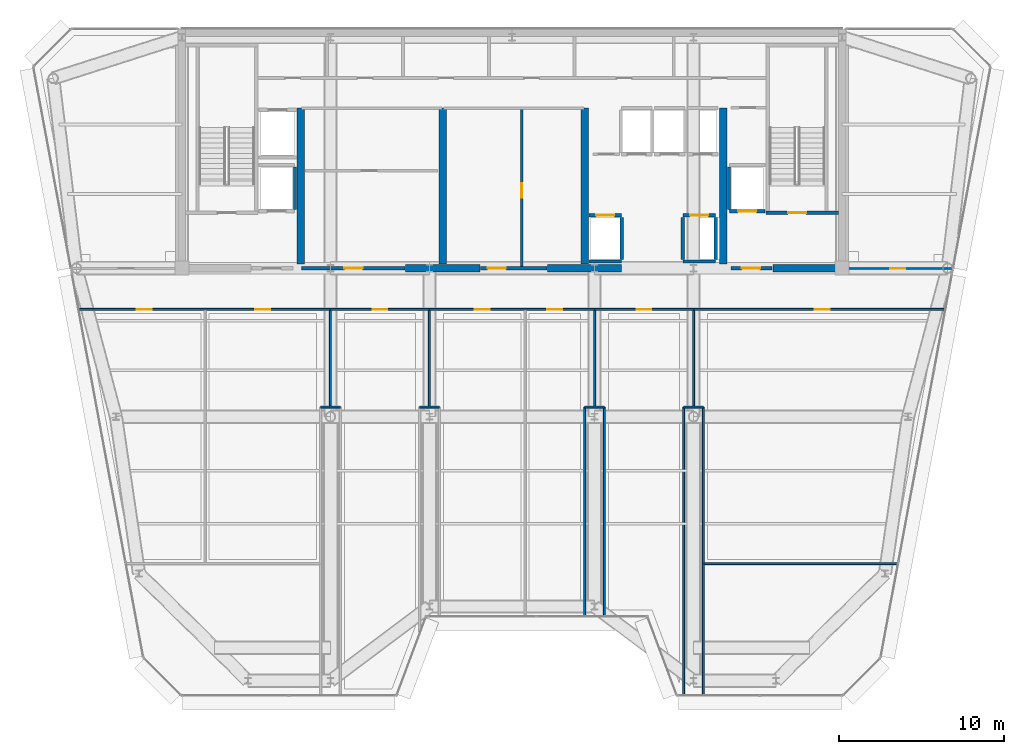
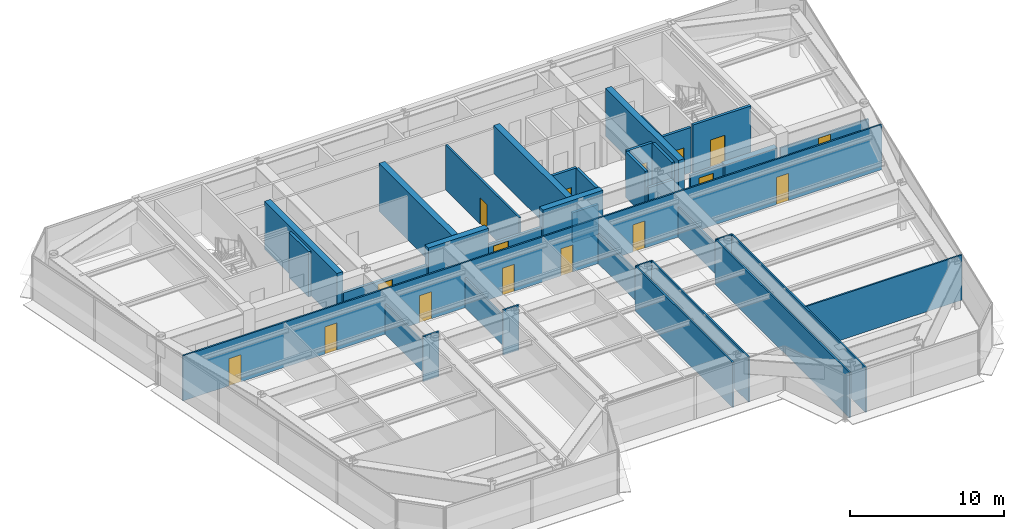
# One storey, part 10 of 18: 37 walls, 16 doors, 16 openings.
"""IFC4 building model written with IfcOpenShell, lengths in metres."""

from ifc_helpers import new_model, si_unit, direction, frame, frame_2d, origin, place, context, subcontext, project, spatial, rectangle, extrude, source, transform, mapped, material, layer, layer_set, type_object, element, fill, save


model = new_model("IFC4")

# Units and contexts
model_context = context("Model", 3, precision=1e-05, world=origin(), true_north=direction((0.0, 1.0)))
body_context = subcontext(model_context, "Body", "Model", "MODEL_VIEW")
ifc_project = project(units=[si_unit("LENGTHUNIT", "METRE"), si_unit("AREAUNIT", "SQUARE_METRE"), si_unit("VOLUMEUNIT", "CUBIC_METRE"), si_unit("PLANEANGLEUNIT", "RADIAN"), si_unit("MASSUNIT", "GRAM", prefix="KILO")], contexts=[model_context])

# Site, building, storey
site_placement = place(None, origin())
site = spatial("IfcSite", under=ifc_project, at=site_placement, CompositionType="ELEMENT")
building_placement = place(site_placement, origin())
building = spatial("IfcBuilding", under=site, at=building_placement, Name="Vaeldorn Concourse Tower", CompositionType="ELEMENT")
storey_placement = place(building_placement, frame((0.0, 0.0, 265.0)))
storey = spatial("IfcBuildingStorey", under=building, at=storey_placement, Name="L68", CompositionType="ELEMENT", Elevation=265.0)

# Walls
ifc_material_1 = material(Name="Concrete C50/60", Category="concrete")
ifc_layer_1 = layer(ifc_material_1, 0.449951171875)
ifc_layer_set_1 = layer_set([ifc_layer_1], Name="Concrete C50/60")
wall_type_1 = type_object("IfcWallType", Name="WL-CORE-450", PredefinedType="SHEAR", material=ifc_layer_set_1)
for number, where, z_axis, x_axis, name in (
    (1, (27.550048828125, 36.5, 0.0), (0.0, 0.0, 1.0), (1.0, 0.0, 0.0), "Rear Core Shear Wall L68 S2"),
    (2, (36.14990234375, 36.5, 0.0), (0.0, 0.0, 1.0), (1.0, 0.0, 0.0), "Rear Core Shear Wall L68 S3"),
):
    element("IfcWall", number, at=place(storey_placement, frame(where, z_axis=z_axis, x_axis=x_axis)), inside=storey, type_object=wall_type_1, Name=name, PredefinedType="SHEAR", context=body_context, shape_type="SweptSolid", body=[
        extrude(rectangle(XDim=4.5, YDim=0.449951171875, at=frame_2d((2.25, 0.0))), origin(), (0.0, 0.0, 1.0), 3.800048828125),
    ])
wall_1_placement = place(storey_placement, frame((49.800048828125, 36.5, 0.0), z_axis=(0.0, 0.0, 1.0), x_axis=(1.0, 0.0, 0.0)))
element("IfcWall", 3, at=wall_1_placement, inside=storey, type_object=wall_type_1, Name="Rear Core Shear Wall L68 S4", PredefinedType="SHEAR", context=body_context, shape_type="SweptSolid", body=[
    extrude(rectangle(XDim=3.954833984375, YDim=0.449951171875, at=frame_2d((1.9775390625, 0.0))), origin(), (0.0, 0.0, 1.0), 2.580078125),
])
for number, where, z_axis, x_axis, name in (
    (4, (21.199951171875, 36.7451171875, 0.0), (0.0, 0.0, 1.0), (0.0, 1.0, 0.0), "Rear Core Shear Wall L68 M1"),
    (5, (29.800048828125, 36.7451171875, 0.0), (0.0, 0.0, 1.0), (0.0, 1.0, 0.0), "Rear Core Shear Wall L68 M2"),
    (6, (38.39990234375, 36.7451171875, 0.0), (0.0, 0.0, 1.0), (0.0, 1.0, 0.0), "Rear Core Shear Wall L68 M3"),
    (7, (46.800048828125, 36.7451171875, 0.0), (0.0, 0.0, 1.0), (0.0, 1.0, 0.0), "Rear Core Shear Wall L68 M4"),
):
    element("IfcWall", number, at=place(storey_placement, frame(where, z_axis=z_axis, x_axis=x_axis)), inside=storey, type_object=wall_type_1, Name=name, PredefinedType="SHEAR", context=body_context, shape_type="SweptSolid", body=[
        extrude(rectangle(XDim=9.454833984375, YDim=0.449951171875, at=frame_2d((4.7275390625, 0.0))), origin(), (0.0, 0.0, 1.0), 3.800048828125),
    ])

# Wall, openings, doors
ifc_material_2 = material(Name="Gypsum Board Partition", Category="gypsum")
ifc_layer_2 = layer(ifc_material_2, 0.1201171875)
ifc_layer_set_2 = layer_set([ifc_layer_2], Name="Gypsum Board Partition")
wall_type_2 = type_object("IfcWallType", Name="WL-PART-120", PredefinedType="PARTITIONING", material=ifc_layer_set_2)
wall_2_placement = place(storey_placement, frame((7.777099609375, 34.0, 0.0), z_axis=(0.0, 0.0, 1.0), x_axis=(1.0, 0.0, 0.0)))
wall_2 = element("IfcWall", 8, at=wall_2_placement, inside=storey, type_object=wall_type_2, Name="Interior Wall PW-L68-C2S", PredefinedType="PARTITIONING", context=body_context, shape_type="SweptSolid", body=[
    extrude(rectangle(XDim=52.44580078125, YDim=0.1201171875, at=frame_2d((26.222900390625, 0.0))), origin(), (0.0, 0.0, 1.0), 3.580078125),
])
opening_1_placement = place(wall_2_placement, frame((3.48095703125, 0.0, 0.0)))
opening_1 = element("IfcOpeningElement", 9, at=opening_1_placement, cuts=wall_2, Name="Opening D-03", PredefinedType="OPENING", context=body_context, shape_type="SweptSolid", body=[
    extrude(rectangle(XDim=0.89990234375, YDim=2.14990234375, at=frame_2d((0.449951171875, 1.074951171875))), frame((0.0, 0.070068359375, 0.0), z_axis=(0.0, -1.0, 0.0), x_axis=(1.0, 0.0, 0.0)), (0.0, 0.0, 1.0), 0.14013671875),
])
opening_2_placement = place(wall_2_placement, frame((10.673095703125, 0.0, 0.0)))
opening_2 = element("IfcOpeningElement", 10, at=opening_2_placement, cuts=wall_2, Name="Opening D-03", PredefinedType="OPENING", context=body_context, shape_type="SweptSolid", body=[
    extrude(rectangle(XDim=0.89990234375, YDim=2.14990234375, at=frame_2d((0.449951171875, 1.074951171875))), frame((0.0, 0.070068359375, 0.0), z_axis=(0.0, -1.0, 0.0), x_axis=(1.0, 0.0, 0.0)), (0.0, 0.0, 1.0), 0.14013671875),
])
opening_3_placement = place(wall_2_placement, frame((17.77294921875, 0.0, 0.0)))
opening_3 = element("IfcOpeningElement", 11, at=opening_3_placement, cuts=wall_2, Name="Opening D-03", PredefinedType="OPENING", context=body_context, shape_type="SweptSolid", body=[
    extrude(rectangle(XDim=0.89990234375, YDim=2.14990234375, at=frame_2d((0.449951171875, 1.074951171875))), frame((0.0, 0.070068359375, 0.0), z_axis=(0.0, -1.0, 0.0), x_axis=(1.0, 0.0, 0.0)), (0.0, 0.0, 1.0), 0.14013671875),
])
opening_4_placement = place(wall_2_placement, frame((23.972900390625, 0.0, 0.0)))
opening_4 = element("IfcOpeningElement", 12, at=opening_4_placement, cuts=wall_2, Name="Opening D-03", PredefinedType="OPENING", context=body_context, shape_type="SweptSolid", body=[
    extrude(rectangle(XDim=0.89990234375, YDim=2.14990234375, at=frame_2d((0.449951171875, 1.074951171875))), frame((0.0, 0.070068359375, 0.0), z_axis=(0.0, -1.0, 0.0), x_axis=(1.0, 0.0, 0.0)), (0.0, 0.0, 1.0), 0.14013671875),
])
opening_5_placement = place(wall_2_placement, frame((28.373046875, 0.0, 0.0)))
opening_5 = element("IfcOpeningElement", 13, at=opening_5_placement, cuts=wall_2, Name="Opening D-03", PredefinedType="OPENING", context=body_context, shape_type="SweptSolid", body=[
    extrude(rectangle(XDim=0.89990234375, YDim=2.14990234375, at=frame_2d((0.449951171875, 1.074951171875))), frame((0.0, 0.070068359375, 0.0), z_axis=(0.0, -1.0, 0.0), x_axis=(1.0, 0.0, 0.0)), (0.0, 0.0, 1.0), 0.14013671875),
])
opening_6_placement = place(wall_2_placement, frame((33.77294921875, 0.0, 0.0)))
opening_6 = element("IfcOpeningElement", 14, at=opening_6_placement, cuts=wall_2, Name="Opening D-03", PredefinedType="OPENING", context=body_context, shape_type="SweptSolid", body=[
    extrude(rectangle(XDim=0.89990234375, YDim=2.14990234375, at=frame_2d((0.449951171875, 1.074951171875))), frame((0.0, 0.070068359375, 0.0), z_axis=(0.0, -1.0, 0.0), x_axis=(1.0, 0.0, 0.0)), (0.0, 0.0, 1.0), 0.14013671875),
])
opening_7_placement = place(wall_2_placement, frame((44.56396484375, 0.0, 0.0)))
opening_7 = element("IfcOpeningElement", 15, at=opening_7_placement, cuts=wall_2, Name="Opening D-03", PredefinedType="OPENING", context=body_context, shape_type="SweptSolid", body=[
    extrude(rectangle(XDim=0.89990234375, YDim=2.14990234375, at=frame_2d((0.449951171875, 1.074951171875))), frame((0.0, 0.070068359375, 0.0), z_axis=(0.0, -1.0, 0.0), x_axis=(1.0, 0.0, 0.0)), (0.0, 0.0, 1.0), 0.14013671875),
])
ifc_material_3 = material(Name="Acoustic Bronze-Framed Glass Door", Category="glass")
door_type_1 = type_object("IfcDoorType", Name="DR-INT-900", OperationType="NOTDEFINED", PredefinedType="DOOR", material=ifc_material_3)
shared_shape_1 = source(origin(), body_context, "Body", "SweptSolid", [
    extrude(rectangle(XDim=0.89990234375, YDim=2.14990234375, at=frame_2d((0.449951171875, 1.074951171875))), frame((0.0, 0.02490234375, 0.0), z_axis=(0.0, -1.0, 0.0), x_axis=(1.0, 0.0, 0.0)), (0.0, 0.0, 1.0), 0.050048828125),
])
door_1_placement = place(opening_1_placement, origin())
door_1 = element("IfcDoor", 16, at=door_1_placement, inside=storey, type_object=door_type_1, Name="Interior Door DR-L68-SBR1", OperationType="SINGLE_SWING_LEFT", OverallHeight=2.14990234375, OverallWidth=0.89990234375, PredefinedType="DOOR", context=body_context, shape_type="MappedRepresentation", body=[
    mapped(shared_shape_1, transform((0.0, 0.0, 0.0), scale=1.0)),
])
fill(opening_1, door_1)
door_2_placement = place(opening_2_placement, origin())
door_2 = element("IfcDoor", 17, at=door_2_placement, inside=storey, type_object=door_type_1, Name="Interior Door DR-L68-SBR2", OperationType="SINGLE_SWING_RIGHT", OverallHeight=2.14990234375, OverallWidth=0.89990234375, PredefinedType="DOOR", context=body_context, shape_type="MappedRepresentation", body=[
    mapped(shared_shape_1, transform((0.0, 0.0, 0.0), scale=1.0)),
])
fill(opening_2, door_2)
door_3_placement = place(opening_3_placement, origin())
door_3 = element("IfcDoor", 18, at=door_3_placement, inside=storey, type_object=door_type_1, Name="Interior Door DR-L68-SBR3", OperationType="SINGLE_SWING_LEFT", OverallHeight=2.14990234375, OverallWidth=0.89990234375, PredefinedType="DOOR", context=body_context, shape_type="MappedRepresentation", body=[
    mapped(shared_shape_1, transform((0.0, 0.0, 0.0), scale=1.0)),
])
fill(opening_3, door_3)
door_4_placement = place(opening_4_placement, origin())
door_4 = element("IfcDoor", 19, at=door_4_placement, inside=storey, type_object=door_type_1, Name="Interior Door DR-L68-SBR4", OperationType="SINGLE_SWING_RIGHT", OverallHeight=2.14990234375, OverallWidth=0.89990234375, PredefinedType="DOOR", context=body_context, shape_type="MappedRepresentation", body=[
    mapped(shared_shape_1, transform((0.0, 0.0, 0.0), scale=1.0)),
])
fill(opening_4, door_4)
door_5_placement = place(opening_5_placement, origin())
door_5 = element("IfcDoor", 20, at=door_5_placement, inside=storey, type_object=door_type_1, Name="Interior Door DR-L68-SBR5", OperationType="SINGLE_SWING_LEFT", OverallHeight=2.14990234375, OverallWidth=0.89990234375, PredefinedType="DOOR", context=body_context, shape_type="MappedRepresentation", body=[
    mapped(shared_shape_1, transform((0.0, 0.0, 0.0), scale=1.0)),
])
fill(opening_5, door_5)
door_6_placement = place(opening_6_placement, origin())
door_6 = element("IfcDoor", 21, at=door_6_placement, inside=storey, type_object=door_type_1, Name="Interior Door DR-L68-SBR6", OperationType="SINGLE_SWING_RIGHT", OverallHeight=2.14990234375, OverallWidth=0.89990234375, PredefinedType="DOOR", context=body_context, shape_type="MappedRepresentation", body=[
    mapped(shared_shape_1, transform((0.0, 0.0, 0.0), scale=1.0)),
])
fill(opening_6, door_6)
door_7_placement = place(opening_7_placement, origin())
door_7 = element("IfcDoor", 22, at=door_7_placement, inside=storey, type_object=door_type_1, Name="Interior Door DR-L68-SBR7", OperationType="SINGLE_SWING_LEFT", OverallHeight=2.14990234375, OverallWidth=0.89990234375, PredefinedType="DOOR", context=body_context, shape_type="MappedRepresentation", body=[
    mapped(shared_shape_1, transform((0.0, 0.0, 0.0), scale=1.0)),
])
fill(opening_7, door_7)

# Wall, opening, door
wall_3_placement = place(storey_placement, frame((54.06005859375, 36.47998046875, 0.0), z_axis=(0.0, 0.0, 1.0), x_axis=(1.0, 0.0, 0.0)))
wall_3 = element("IfcWall", 23, at=wall_3_placement, inside=storey, type_object=wall_type_2, Name="Interior Wall PW-L68-NES", PredefinedType="PARTITIONING", context=body_context, shape_type="SweptSolid", body=[
    extrude(rectangle(XDim=6.618896484375, YDim=0.1201171875, at=frame_2d((3.3095703125, 0.0))), origin(), (0.0, 0.0, 1.0), 2.3701171875),
])
opening_8_placement = place(wall_3_placement, frame((2.85888671875, 0.0, 0.0)))
opening_8 = element("IfcOpeningElement", 24, at=opening_8_placement, cuts=wall_3, Name="Opening D-03", PredefinedType="OPENING", context=body_context, shape_type="SweptSolid", body=[
    extrude(rectangle(XDim=0.89990234375, YDim=2.14990234375, at=frame_2d((0.449951171875, 1.074951171875))), frame((0.0, 0.070068359375, 0.0), z_axis=(0.0, -1.0, 0.0), x_axis=(1.0, 0.0, 0.0)), (0.0, 0.0, 1.0), 0.14013671875),
])
door_8_placement = place(opening_8_placement, origin())
door_8 = element("IfcDoor", 25, at=door_8_placement, inside=storey, type_object=door_type_1, Name="Interior Door DR-L68-NEC", OperationType="SINGLE_SWING_RIGHT", OverallHeight=2.14990234375, OverallWidth=0.89990234375, PredefinedType="DOOR", context=body_context, shape_type="MappedRepresentation", body=[
    mapped(shared_shape_1, transform((0.0, 0.0, 0.0), scale=1.0)),
])
fill(opening_8, door_8)

# Walls
wall_4_placement = place(storey_placement, frame((45.639892578125, 18.60009765625, 0.0), z_axis=(0.0, 0.0, 1.0), x_axis=(1.0, 0.0, 0.0)))
element("IfcWall", 26, at=wall_4_placement, inside=storey, type_object=wall_type_2, Name="Interior Wall PW-L68-FLE", PredefinedType="PARTITIONING", context=body_context, shape_type="SweptSolid", body=[
    extrude(rectangle(XDim=11.71533203125, YDim=0.1201171875, at=frame_2d((5.857666015625, 0.0))), origin(), (0.0, 0.0, 1.0), 3.580078125),
])
wall_5_placement = place(storey_placement, frame((22.39990234375, 28.080078125, 0.0), z_axis=(0.0, 0.0, 1.0), x_axis=(1.0, 0.0, 0.0)))
element("IfcWall", 27, at=wall_5_placement, inside=storey, type_object=wall_type_2, Name="Interior Wall PW-L68-SB1N", PredefinedType="PARTITIONING", context=body_context, shape_type="SweptSolid", body=[
    extrude(rectangle(XDim=1.2001953125, YDim=0.1201171875, at=frame_2d((0.60009765625, 0.0))), origin(), (0.0, 0.0, 1.0), 3.580078125),
])
wall_6_placement = place(storey_placement, frame((23.0, 28.139892578125, 0.0), z_axis=(0.0, 0.0, 1.0), x_axis=(0.0, 1.0, 0.0)))
element("IfcWall", 28, at=wall_6_placement, inside=storey, type_object=wall_type_2, Name="Interior Wall PW-L68-SBP1", PredefinedType="PARTITIONING", context=body_context, shape_type="SweptSolid", body=[
    extrude(rectangle(XDim=5.800048828125, YDim=0.1201171875, at=frame_2d((2.89990234375, 0.0))), origin(), (0.0, 0.0, 1.0), 2.3701171875),
])
wall_7_placement = place(storey_placement, frame((28.39990234375, 28.080078125, 0.0), z_axis=(0.0, 0.0, 1.0), x_axis=(1.0, 0.0, 0.0)))
element("IfcWall", 29, at=wall_7_placement, inside=storey, type_object=wall_type_2, Name="Interior Wall PW-L68-SB2N", PredefinedType="PARTITIONING", context=body_context, shape_type="SweptSolid", body=[
    extrude(rectangle(XDim=1.2001953125, YDim=0.1201171875, at=frame_2d((0.60009765625, 0.0))), origin(), (0.0, 0.0, 1.0), 3.580078125),
])
wall_8_placement = place(storey_placement, frame((29.0, 28.139892578125, 0.0), z_axis=(0.0, 0.0, 1.0), x_axis=(0.0, 1.0, 0.0)))
element("IfcWall", 30, at=wall_8_placement, inside=storey, type_object=wall_type_2, Name="Interior Wall PW-L68-SBP2", PredefinedType="PARTITIONING", context=body_context, shape_type="SweptSolid", body=[
    extrude(rectangle(XDim=5.800048828125, YDim=0.1201171875, at=frame_2d((2.89990234375, 0.0))), origin(), (0.0, 0.0, 1.0), 2.3701171875),
])
for number, where, z_axis, x_axis, name in (
    (31, (38.39990234375, 15.43994140625, 0.0), (0.0, 0.0, 1.0), (0.0, 1.0, 0.0), "Interior Wall PW-L68-SB3W"),
    (32, (39.60009765625, 15.43994140625, 0.0), (0.0, 0.0, 1.0), (0.0, 1.0, 0.0), "Interior Wall PW-L68-SB3E"),
):
    element("IfcWall", number, at=place(storey_placement, frame(where, z_axis=z_axis, x_axis=x_axis)), inside=storey, type_object=wall_type_2, Name=name, PredefinedType="PARTITIONING", context=body_context, shape_type="SweptSolid", body=[
        extrude(rectangle(XDim=12.64013671875, YDim=0.1201171875, at=frame_2d((6.320068359375, 0.0))), origin(), (0.0, 0.0, 1.0), 3.580078125),
    ])
wall_9_placement = place(storey_placement, frame((38.39990234375, 28.080078125, 0.0), z_axis=(0.0, 0.0, 1.0), x_axis=(1.0, 0.0, 0.0)))
element("IfcWall", 33, at=wall_9_placement, inside=storey, type_object=wall_type_2, Name="Interior Wall PW-L68-SB3N", PredefinedType="PARTITIONING", context=body_context, shape_type="SweptSolid", body=[
    extrude(rectangle(XDim=1.2001953125, YDim=0.1201171875, at=frame_2d((0.60009765625, 0.0))), origin(), (0.0, 0.0, 1.0), 3.580078125),
])
wall_10_placement = place(storey_placement, frame((39.0, 28.139892578125, 0.0), z_axis=(0.0, 0.0, 1.0), x_axis=(0.0, 1.0, 0.0)))
element("IfcWall", 34, at=wall_10_placement, inside=storey, type_object=wall_type_2, Name="Interior Wall PW-L68-SBP3", PredefinedType="PARTITIONING", context=body_context, shape_type="SweptSolid", body=[
    extrude(rectangle(XDim=5.800048828125, YDim=0.1201171875, at=frame_2d((2.89990234375, 0.0))), origin(), (0.0, 0.0, 1.0), 2.3701171875),
])
for number, where, z_axis, x_axis, name in (
    (35, (44.39990234375, 10.639892578125, 0.0), (0.0, 0.0, 1.0), (0.0, 1.0, 0.0), "Interior Wall PW-L68-SB4W"),
    (36, (45.60009765625, 10.639892578125, 0.0), (0.0, 0.0, 1.0), (0.0, 1.0, 0.0), "Interior Wall PW-L68-SB4E"),
):
    element("IfcWall", number, at=place(storey_placement, frame(where, z_axis=z_axis, x_axis=x_axis)), inside=storey, type_object=wall_type_2, Name=name, PredefinedType="PARTITIONING", context=body_context, shape_type="SweptSolid", body=[
        extrude(rectangle(XDim=17.440185546875, YDim=0.1201171875, at=frame_2d((8.72021484375, 0.0))), origin(), (0.0, 0.0, 1.0), 3.580078125),
    ])
wall_11_placement = place(storey_placement, frame((44.39990234375, 28.080078125, 0.0), z_axis=(0.0, 0.0, 1.0), x_axis=(1.0, 0.0, 0.0)))
element("IfcWall", 37, at=wall_11_placement, inside=storey, type_object=wall_type_2, Name="Interior Wall PW-L68-SB4N", PredefinedType="PARTITIONING", context=body_context, shape_type="SweptSolid", body=[
    extrude(rectangle(XDim=1.2001953125, YDim=0.1201171875, at=frame_2d((0.60009765625, 0.0))), origin(), (0.0, 0.0, 1.0), 3.580078125),
])
wall_12_placement = place(storey_placement, frame((45.0, 28.139892578125, 0.0), z_axis=(0.0, 0.0, 1.0), x_axis=(0.0, 1.0, 0.0)))
element("IfcWall", 38, at=wall_12_placement, inside=storey, type_object=wall_type_2, Name="Interior Wall PW-L68-SBP4", PredefinedType="PARTITIONING", context=body_context, shape_type="SweptSolid", body=[
    extrude(rectangle(XDim=5.800048828125, YDim=0.1201171875, at=frame_2d((2.89990234375, 0.0))), origin(), (0.0, 0.0, 1.0), 2.3701171875),
])

# Wall, opening, door
ifc_layer_3 = layer(ifc_material_2, 0.14990234375)
ifc_layer_set_3 = layer_set([ifc_layer_3], Name="Gypsum Board Partition")
wall_type_3 = type_object("IfcWallType", Name="WL-PART-150", PredefinedType="PARTITIONING", material=ifc_layer_set_3)
wall_13_placement = place(storey_placement, frame((34.60009765625, 36.56005859375, 0.0), z_axis=(0.0, 0.0, 1.0), x_axis=(0.0, 1.0, 0.0)))
wall_13 = element("IfcWall", 39, at=wall_13_placement, inside=storey, type_object=wall_type_3, Name="Interior Wall CW-L68-R2M", PredefinedType="PARTITIONING", context=body_context, shape_type="SweptSolid", body=[
    extrude(rectangle(XDim=9.579833984375, YDim=0.14990234375, at=frame_2d((4.7900390625, 0.0))), origin(), (0.0, 0.0, 1.0), 3.580078125),
])
opening_9_placement = place(wall_13_placement, frame((4.199951171875, 0.0, 0.0)))
opening_9 = element("IfcOpeningElement", 40, at=opening_9_placement, cuts=wall_13, Name="Opening D-02", PredefinedType="OPENING", context=body_context, shape_type="SweptSolid", body=[
    extrude(rectangle(XDim=0.89990234375, YDim=2.10009765625, at=frame_2d((0.449951171875, 1.050048828125))), frame((0.0, 0.0849609375, 0.0), z_axis=(0.0, -1.0, 0.0), x_axis=(1.0, 0.0, 0.0)), (0.0, 0.0, 1.0), 0.169921875),
])
ifc_material_4 = material(Name="Fire-Rated Timber Leaf", Category="wood")
door_type_2 = type_object("IfcDoorType", Name="DR-FD30-900", OperationType="NOTDEFINED", PredefinedType="DOOR", material=ifc_material_4)
shared_shape_2 = source(origin(), body_context, "Body", "SweptSolid", [
    extrude(rectangle(XDim=0.89990234375, YDim=2.10009765625, at=frame_2d((0.449951171875, 1.050048828125))), frame((0.0, 0.02490234375, 0.0), z_axis=(0.0, -1.0, 0.0), x_axis=(1.0, 0.0, 0.0)), (0.0, 0.0, 1.0), 0.050048828125),
])
door_9_placement = place(opening_9_placement, origin())
door_9 = element("IfcDoor", 41, at=door_9_placement, inside=storey, type_object=door_type_2, Name="Interior Door DR-L68-R2E", OperationType="SINGLE_SWING_RIGHT", OverallHeight=2.10009765625, OverallWidth=0.89990234375, PredefinedType="DOOR", context=body_context, shape_type="MappedRepresentation", body=[
    mapped(shared_shape_2, transform((0.0, 0.0, 0.0), scale=1.0)),
])
fill(opening_9, door_9)

ifc_layer_4 = layer(ifc_material_1, 0.199951171875)
ifc_layer_set_4 = layer_set([ifc_layer_4], Name="Concrete C50/60")
wall_type_4 = type_object("IfcWallType", Name="WL-SHAFT-200", PredefinedType="SOLIDWALL", material=ifc_layer_set_4)
wall_14_placement = place(storey_placement, frame((49.39990234375, 39.85009765625, 0.0), z_axis=(0.0, 0.0, 1.0), x_axis=(1.0, 0.0, 0.0)))
wall_14 = element("IfcWall", 42, at=wall_14_placement, inside=storey, type_object=wall_type_4, Name="Stair Shaft Wall CW-L68-ST-2-S", PredefinedType="SOLIDWALL", context=body_context, shape_type="SweptSolid", body=[
    extrude(rectangle(XDim=4.375, YDim=0.199951171875, at=frame_2d((2.1875, 0.0))), origin(), (0.0, 0.0, 1.0), 3.800048828125),
])
opening_10_placement = place(wall_14_placement, frame((1.324951171875, 0.0, 0.0)))
opening_10 = element("IfcOpeningElement", 43, at=opening_10_placement, cuts=wall_14, Name="Opening D-01", PredefinedType="OPENING", context=body_context, shape_type="SweptSolid", body=[
    extrude(rectangle(XDim=1.10009765625, YDim=2.14990234375, at=frame_2d((0.550048828125, 1.074951171875))), frame((0.0, 0.10986328125, 0.0), z_axis=(0.0, -1.0, 0.0), x_axis=(1.0, 0.0, 0.0)), (0.0, 0.0, 1.0), 0.219970703125),
])
ifc_material_5 = material(Name="Fire-Rated Timber and Steel Leaf", Category="steel")
door_type_3 = type_object("IfcDoorType", Name="DR-FD60-1100", OperationType="NOTDEFINED", PredefinedType="DOOR", material=ifc_material_5)
shared_shape_3 = source(origin(), body_context, "Body", "SweptSolid", [
    extrude(rectangle(XDim=1.10009765625, YDim=2.14990234375, at=frame_2d((0.550048828125, 1.074951171875))), frame((0.0, 0.02490234375, 0.0), z_axis=(0.0, -1.0, 0.0), x_axis=(1.0, 0.0, 0.0)), (0.0, 0.0, 1.0), 0.050048828125),
])
door_10_placement = place(opening_10_placement, origin())
door_10 = element("IfcDoor", 44, at=door_10_placement, inside=storey, type_object=door_type_3, Name="Interior Door DR-L68-ST-2", OperationType="SINGLE_SWING_RIGHT", OverallHeight=2.14990234375, OverallWidth=1.10009765625, PredefinedType="DOOR", context=body_context, shape_type="MappedRepresentation", body=[
    mapped(shared_shape_3, transform((0.0, 0.0, 0.0), scale=1.0)),
])
fill(opening_10, door_10)

wall_15_placement = place(storey_placement, frame((47.280029296875, 36.5, 0.0), z_axis=(0.0, 0.0, 1.0), x_axis=(1.0, 0.0, 0.0)))
wall_15 = element("IfcWall", 45, at=wall_15_placement, inside=storey, type_object=wall_type_4, Name="Interior Wall CW-L68-FF2S", PredefinedType="SOLIDWALL", context=body_context, shape_type="SweptSolid", body=[
    extrude(rectangle(XDim=2.469970703125, YDim=0.199951171875, at=frame_2d((1.23486328125, 0.0))), origin(), (0.0, 0.0, 1.0), 2.570068359375),
])
opening_11_placement = place(wall_15_placement, frame((0.64990234375, 0.0, 0.0)))
opening_11 = element("IfcOpeningElement", 46, at=opening_11_placement, cuts=wall_15, Name="Opening D-01", PredefinedType="OPENING", context=body_context, shape_type="SweptSolid", body=[
    extrude(rectangle(XDim=1.10009765625, YDim=2.14990234375, at=frame_2d((0.550048828125, 1.074951171875))), frame((0.0, 0.10986328125, 0.0), z_axis=(0.0, -1.0, 0.0), x_axis=(1.0, 0.0, 0.0)), (0.0, 0.0, 1.0), 0.219970703125),
])
door_11_placement = place(opening_11_placement, origin())
door_11 = element("IfcDoor", 47, at=door_11_placement, inside=storey, type_object=door_type_3, Name="Interior Door DR-L68-FF2W", OperationType="SINGLE_SWING_LEFT", OverallHeight=2.14990234375, OverallWidth=1.10009765625, PredefinedType="DOOR", context=body_context, shape_type="MappedRepresentation", body=[
    mapped(shared_shape_3, transform((0.0, 0.0, 0.0), scale=1.0)),
])
fill(opening_11, door_11)

wall_16_placement = place(storey_placement, frame((38.669921875, 39.699951171875, 0.0), z_axis=(0.0, 0.0, 1.0), x_axis=(1.0, 0.0, 0.0)))
wall_16 = element("IfcWall", 48, at=wall_16_placement, inside=storey, type_object=wall_type_4, Name="Interior Wall CW-L68-LF-LF-13", PredefinedType="SOLIDWALL", context=body_context, shape_type="SweptSolid", body=[
    extrude(rectangle(XDim=1.9599609375, YDim=0.199951171875, at=frame_2d((0.97998046875, 0.0))), origin(), (0.0, 0.0, 1.0), 3.580078125),
])
opening_12_placement = place(wall_16_placement, frame((0.429931640625, 0.0, 0.0)))
opening_12 = element("IfcOpeningElement", 49, at=opening_12_placement, cuts=wall_16, Name="Opening LD-1", PredefinedType="OPENING", context=body_context, shape_type="SweptSolid", body=[
    extrude(rectangle(XDim=1.10009765625, YDim=2.14990234375, at=frame_2d((0.550048828125, 1.074951171875))), frame((0.0, 0.10986328125, 0.0), z_axis=(0.0, -1.0, 0.0), x_axis=(1.0, 0.0, 0.0)), (0.0, 0.0, 1.0), 0.219970703125),
])
ifc_material_6 = material(Name="Anodised Bronze Aluminium", Category="aluminium")
door_type_4 = type_object("IfcDoorType", Name="DR-LIFT-SLIDE-1100", OperationType="DOUBLE_DOOR_SLIDING", PredefinedType="DOOR", material=ifc_material_6)
door_12_placement = place(opening_12_placement, origin())
door_12 = element("IfcDoor", 50, at=door_12_placement, inside=storey, type_object=door_type_4, Name="Lift Landing Door LD-L68-LF-13", OperationType="DOUBLE_DOOR_SLIDING", OverallHeight=2.14990234375, OverallWidth=1.10009765625, PredefinedType="DOOR", context=body_context, shape_type="MappedRepresentation", body=[
    mapped(shared_shape_3, transform((0.0, 0.0, 0.0), scale=1.0)),
])
fill(opening_12, door_12)

# Walls
wall_17_placement = place(storey_placement, frame((38.669921875, 36.89990234375, 0.0), z_axis=(0.0, 0.0, 1.0), x_axis=(1.0, 0.0, 0.0)))
element("IfcWall", 51, at=wall_17_placement, inside=storey, type_object=wall_type_4, Name="Interior Wall CW-L68-LFB-LF-13", PredefinedType="SOLIDWALL", context=body_context, shape_type="SweptSolid", body=[
    extrude(rectangle(XDim=1.9599609375, YDim=0.199951171875, at=frame_2d((0.97998046875, 0.0))), origin(), (0.0, 0.0, 1.0), 2.3701171875),
])
wall_18_placement = place(storey_placement, frame((40.64990234375, 37.02001953125, 0.0), z_axis=(0.0, 0.0, 1.0), x_axis=(0.0, 1.0, 0.0)))
element("IfcWall", 52, at=wall_18_placement, inside=storey, type_object=wall_type_4, Name="Interior Wall CW-L68-LFE-LF-13", PredefinedType="SOLIDWALL", context=body_context, shape_type="SweptSolid", body=[
    extrude(rectangle(XDim=2.56005859375, YDim=0.199951171875, at=frame_2d((1.280029296875, 0.0))), origin(), (0.0, 0.0, 1.0), 3.580078125),
])

# Wall, opening, door
wall_19_placement = place(storey_placement, frame((44.3701171875, 39.699951171875, 0.0), z_axis=(0.0, 0.0, 1.0), x_axis=(1.0, 0.0, 0.0)))
wall_19 = element("IfcWall", 53, at=wall_19_placement, inside=storey, type_object=wall_type_4, Name="Interior Wall CW-L68-LF-LF-14", PredefinedType="SOLIDWALL", context=body_context, shape_type="SweptSolid", body=[
    extrude(rectangle(XDim=1.9599609375, YDim=0.199951171875, at=frame_2d((0.97998046875, 0.0))), origin(), (0.0, 0.0, 1.0), 3.580078125),
])
opening_13_placement = place(wall_19_placement, frame((0.429931640625, 0.0, 0.0)))
opening_13 = element("IfcOpeningElement", 54, at=opening_13_placement, cuts=wall_19, Name="Opening LD-1", PredefinedType="OPENING", context=body_context, shape_type="SweptSolid", body=[
    extrude(rectangle(XDim=1.10009765625, YDim=2.14990234375, at=frame_2d((0.550048828125, 1.074951171875))), frame((0.0, 0.10986328125, 0.0), z_axis=(0.0, -1.0, 0.0), x_axis=(1.0, 0.0, 0.0)), (0.0, 0.0, 1.0), 0.219970703125),
])
door_13_placement = place(opening_13_placement, origin())
door_13 = element("IfcDoor", 55, at=door_13_placement, inside=storey, type_object=door_type_4, Name="Lift Landing Door LD-L68-LF-14", OperationType="DOUBLE_DOOR_SLIDING", OverallHeight=2.14990234375, OverallWidth=1.10009765625, PredefinedType="DOOR", context=body_context, shape_type="MappedRepresentation", body=[
    mapped(shared_shape_3, transform((0.0, 0.0, 0.0), scale=1.0)),
])
fill(opening_13, door_13)

# Walls
wall_20_placement = place(storey_placement, frame((44.3701171875, 36.89990234375, 0.0), z_axis=(0.0, 0.0, 1.0), x_axis=(1.0, 0.0, 0.0)))
element("IfcWall", 56, at=wall_20_placement, inside=storey, type_object=wall_type_4, Name="Interior Wall CW-L68-LFB-LF-14", PredefinedType="SOLIDWALL", context=body_context, shape_type="SweptSolid", body=[
    extrude(rectangle(XDim=1.9599609375, YDim=0.199951171875, at=frame_2d((0.97998046875, 0.0))), origin(), (0.0, 0.0, 1.0), 2.3701171875),
])
for number, where, z_axis, x_axis, name in (
    (57, (44.35009765625, 37.02001953125, 0.0), (0.0, 0.0, 1.0), (0.0, 1.0, 0.0), "Interior Wall CW-L68-LFW-LF-14"),
    (58, (46.35009765625, 37.02001953125, 0.0), (0.0, 0.0, 1.0), (0.0, 1.0, 0.0), "Interior Wall CW-L68-LFE-LF-14"),
):
    element("IfcWall", number, at=place(storey_placement, frame(where, z_axis=z_axis, x_axis=x_axis)), inside=storey, type_object=wall_type_4, Name=name, PredefinedType="SOLIDWALL", context=body_context, shape_type="SweptSolid", body=[
        extrude(rectangle(XDim=2.56005859375, YDim=0.199951171875, at=frame_2d((1.280029296875, 0.0))), origin(), (0.0, 0.0, 1.0), 3.580078125),
    ])
wall_21_placement = place(storey_placement, frame((20.85009765625, 40.070068359375, 0.0), z_axis=(0.0, 0.0, 1.0), x_axis=(0.0, 1.0, 0.0)))
element("IfcWall", 59, at=wall_21_placement, inside=storey, type_object=wall_type_4, Name="Interior Wall CW-L68-LFE-LF-FF1", PredefinedType="SOLIDWALL", context=body_context, shape_type="SweptSolid", body=[
    extrude(rectangle(XDim=2.559814453125, YDim=0.199951171875, at=frame_2d((1.27978515625, 0.0))), origin(), (0.0, 0.0, 1.0), 3.580078125),
])

# Wall, opening, door
wall_22_placement = place(storey_placement, frame((47.169921875, 39.949951171875, 0.0), z_axis=(0.0, 0.0, 1.0), x_axis=(1.0, 0.0, 0.0)))
wall_22 = element("IfcWall", 60, at=wall_22_placement, inside=storey, type_object=wall_type_4, Name="Interior Wall CW-L68-LF-LF-FF2", PredefinedType="SOLIDWALL", context=body_context, shape_type="SweptSolid", body=[
    extrude(rectangle(XDim=2.16015625, YDim=0.199951171875, at=frame_2d((1.080078125, 0.0))), origin(), (0.0, 0.0, 1.0), 3.580078125),
])
opening_14_placement = place(wall_22_placement, frame((0.530029296875, 0.0, 0.0)))
opening_14 = element("IfcOpeningElement", 61, at=opening_14_placement, cuts=wall_22, Name="Opening LD-1", PredefinedType="OPENING", context=body_context, shape_type="SweptSolid", body=[
    extrude(rectangle(XDim=1.10009765625, YDim=2.14990234375, at=frame_2d((0.550048828125, 1.074951171875))), frame((0.0, 0.10986328125, 0.0), z_axis=(0.0, -1.0, 0.0), x_axis=(1.0, 0.0, 0.0)), (0.0, 0.0, 1.0), 0.219970703125),
])
door_14_placement = place(opening_14_placement, origin())
door_14 = element("IfcDoor", 62, at=door_14_placement, inside=storey, type_object=door_type_4, Name="Lift Landing Door LD-L68-LF-FF2", OperationType="DOUBLE_DOOR_SLIDING", OverallHeight=2.14990234375, OverallWidth=1.10009765625, PredefinedType="DOOR", context=body_context, shape_type="MappedRepresentation", body=[
    mapped(shared_shape_3, transform((0.0, 0.0, 0.0), scale=1.0)),
])
fill(opening_14, door_14)

# Wall
wall_23_placement = place(storey_placement, frame((47.14990234375, 40.070068359375, 0.0), z_axis=(0.0, 0.0, 1.0), x_axis=(0.0, 1.0, 0.0)))
element("IfcWall", 63, at=wall_23_placement, inside=storey, type_object=wall_type_4, Name="Interior Wall CW-L68-LFW-LF-FF2", PredefinedType="SOLIDWALL", context=body_context, shape_type="SweptSolid", body=[
    extrude(rectangle(XDim=2.559814453125, YDim=0.199951171875, at=frame_2d((1.27978515625, 0.0))), origin(), (0.0, 0.0, 1.0), 3.580078125),
])

# Wall, opening, door
wall_24_placement = place(storey_placement, frame((21.25, 36.5, 0.0), z_axis=(0.0, 0.0, 1.0), x_axis=(1.0, 0.0, 0.0)))
wall_24 = element("IfcWall", 64, at=wall_24_placement, inside=storey, type_object=wall_type_4, Name="Interior Wall CW-L68-R1S", PredefinedType="SOLIDWALL", context=body_context, shape_type="SweptSolid", body=[
    extrude(rectangle(XDim=6.27001953125, YDim=0.199951171875, at=frame_2d((3.135009765625, 0.0))), origin(), (0.0, 0.0, 1.0), 2.3701171875),
])
opening_15_placement = place(wall_24_placement, frame((2.60009765625, 0.0, 0.0)))
opening_15 = element("IfcOpeningElement", 65, at=opening_15_placement, cuts=wall_24, Name="Opening D-01", PredefinedType="OPENING", context=body_context, shape_type="SweptSolid", body=[
    extrude(rectangle(XDim=1.10009765625, YDim=2.14990234375, at=frame_2d((0.550048828125, 1.074951171875))), frame((0.0, 0.10986328125, 0.0), z_axis=(0.0, -1.0, 0.0), x_axis=(1.0, 0.0, 0.0)), (0.0, 0.0, 1.0), 0.219970703125),
])
door_15_placement = place(opening_15_placement, origin())
door_15 = element("IfcDoor", 66, at=door_15_placement, inside=storey, type_object=door_type_3, Name="Interior Door DR-L68-R1S", OperationType="SINGLE_SWING_LEFT", OverallHeight=2.14990234375, OverallWidth=1.10009765625, PredefinedType="DOOR", context=body_context, shape_type="MappedRepresentation", body=[
    mapped(shared_shape_3, transform((0.0, 0.0, 0.0), scale=1.0)),
])
fill(opening_15, door_15)

wall_25_placement = place(storey_placement, frame((32.080078125, 36.5, 0.0), z_axis=(0.0, 0.0, 1.0), x_axis=(1.0, 0.0, 0.0)))
wall_25 = element("IfcWall", 67, at=wall_25_placement, inside=storey, type_object=wall_type_4, Name="Interior Wall CW-L68-R2S", PredefinedType="SOLIDWALL", context=body_context, shape_type="SweptSolid", body=[
    extrude(rectangle(XDim=4.0400390625, YDim=0.199951171875, at=frame_2d((2.02001953125, 0.0))), origin(), (0.0, 0.0, 1.0), 2.3701171875),
])
opening_16_placement = place(wall_25_placement, frame((0.449951171875, 0.0, 0.0)))
opening_16 = element("IfcOpeningElement", 68, at=opening_16_placement, cuts=wall_25, Name="Opening D-01", PredefinedType="OPENING", context=body_context, shape_type="SweptSolid", body=[
    extrude(rectangle(XDim=1.10009765625, YDim=2.14990234375, at=frame_2d((0.550048828125, 1.074951171875))), frame((0.0, 0.10986328125, 0.0), z_axis=(0.0, -1.0, 0.0), x_axis=(1.0, 0.0, 0.0)), (0.0, 0.0, 1.0), 0.219970703125),
])
door_16_placement = place(opening_16_placement, origin())
door_16 = element("IfcDoor", 69, at=door_16_placement, inside=storey, type_object=door_type_3, Name="Interior Door DR-L68-R2W", OperationType="SINGLE_SWING_LEFT", OverallHeight=2.14990234375, OverallWidth=1.10009765625, PredefinedType="DOOR", context=body_context, shape_type="MappedRepresentation", body=[
    mapped(shared_shape_3, transform((0.0, 0.0, 0.0), scale=1.0)),
])
fill(opening_16, door_16)

save(model, "model.ifc")
